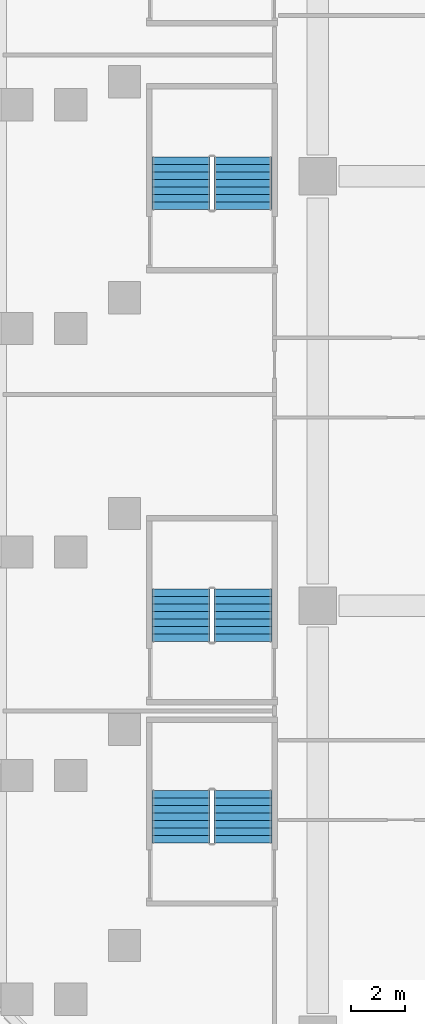
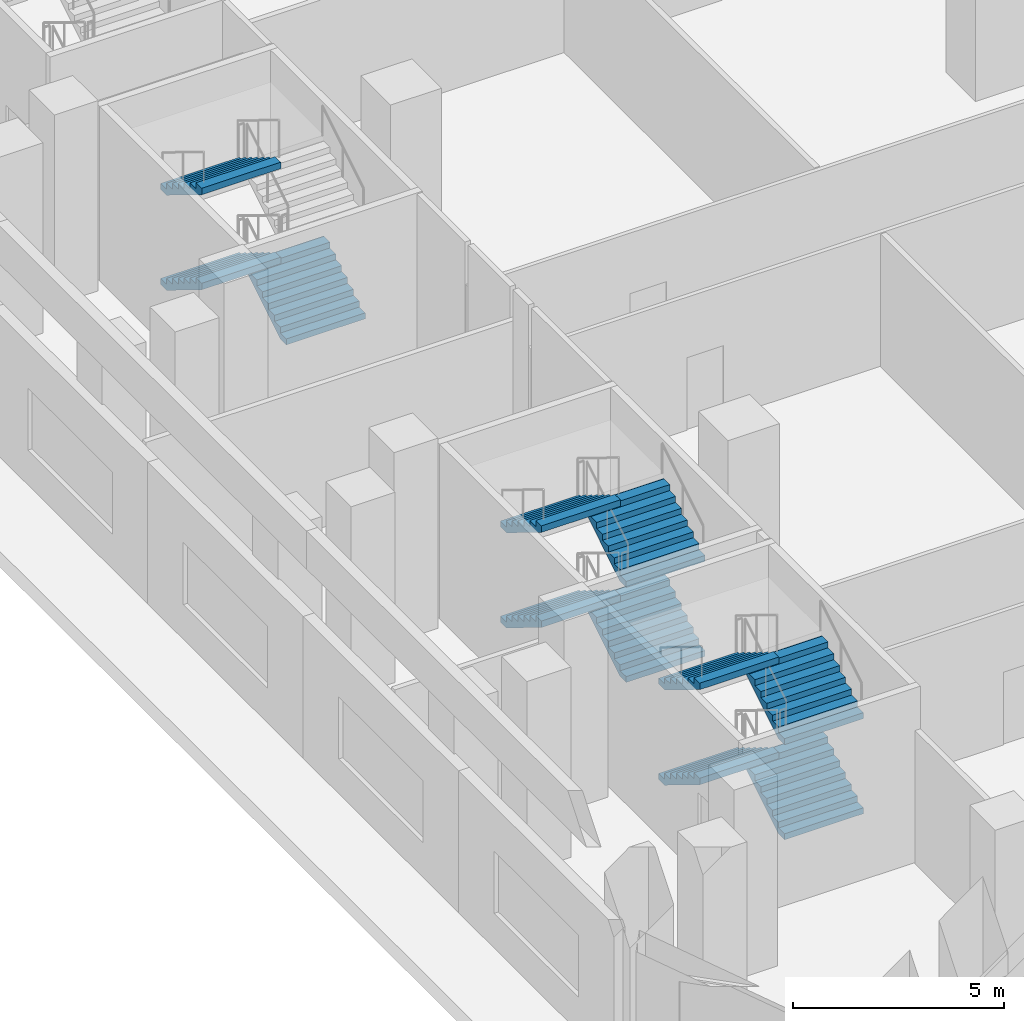
# One storey, part 13 of 22: 11 stair flights, 3 elements without a shape of their own.
"""IFC4 building model written with IfcOpenShell, lengths in metres."""

from ifc_helpers import new_model, si_unit, direction, frame, origin, place, context, subcontext, project, spatial, faceted_brep, source, transform, mapped, material, type_object, element, aggregate, save


model = new_model("IFC4")

# Units and contexts
model_context = context("Model", 3, precision=1e-05, world=origin(), true_north=direction((0.0, 1.0)))
body_context = subcontext(model_context, "Body", "Model", "MODEL_VIEW")
ifc_project = project(units=[si_unit("LENGTHUNIT", "METRE"), si_unit("AREAUNIT", "SQUARE_METRE"), si_unit("VOLUMEUNIT", "CUBIC_METRE"), si_unit("PLANEANGLEUNIT", "RADIAN"), si_unit("MASSUNIT", "GRAM", prefix="KILO")], contexts=[model_context])

# Site, building, storey
site_placement = place(None, origin())
site = spatial("IfcSite", under=ifc_project, at=site_placement, CompositionType="ELEMENT")
building_placement = place(site_placement, origin())
building = spatial("IfcBuilding", under=site, at=building_placement, Name="Calabash Gate Tower", CompositionType="ELEMENT")
storey_placement = place(building_placement, frame((0.0, 0.0, 29.0)))
storey = spatial("IfcBuildingStorey", under=building, at=storey_placement, Name="L03", CompositionType="ELEMENT", Elevation=29.0)

# Stair, stair flights
ifc_material_1 = material(Name="Concrete C40/50", Category="concrete")
stair_type = type_object("IfcStairType", Name="Public stair 32 risers of 171.9 mm", PredefinedType="HALF_TURN_STAIR", material=ifc_material_1)
stair_1_placement = place(storey_placement, origin())
stair_1 = element("IfcStair", 1, at=stair_1_placement, inside=storey, type_object=stair_type, Name="L03 Public Stair PS1", PredefinedType="HALF_TURN_STAIR")
ifc_material_2 = material(Name="Concrete C40/50", Category="concrete")
stair_flight_type = type_object("IfcStairFlightType", Name="Exit stair flight SFL", PredefinedType="STRAIGHT", material=ifc_material_2)
shared_shape = source(origin(), body_context, "Body", "Brep", [
    faceted_brep([(-0.0009765625, -1.080078125, 0.0), (0.285888671875, -1.080078125, 0.0), (1.9541015625, -1.080078125, 1.027099609375), (-0.0009765625, 1.080078125, 0.0), (1.9541015625, 1.080078125, 1.027099609375), (0.285888671875, 1.080078125, 0.0), (1.9541015625, -1.080078125, 1.215087890625), (1.952880859375, -1.080078125, 1.215087890625), (1.952880859375, 1.080078125, 1.215087890625), (1.9541015625, 1.080078125, 1.215087890625), (1.952880859375, -1.080078125, 1.203125), (1.952880859375, 1.080078125, 1.203125), (1.674072265625, -1.080078125, 1.203125), (1.674072265625, 1.080078125, 1.203125), (1.674072265625, -1.080078125, 1.03125), (1.674072265625, 1.080078125, 1.03125), (1.39501953125, -1.080078125, 1.03125), (1.39501953125, 1.080078125, 1.03125), (1.39501953125, -1.080078125, 0.859375), (1.39501953125, 1.080078125, 0.859375), (1.115966796875, -1.080078125, 0.859375), (1.115966796875, -1.080078125, 0.6875), (1.115966796875, 1.080078125, 0.6875), (1.115966796875, 1.080078125, 0.859375), (0.8369140625, -1.080078125, 0.6875), (0.8369140625, -1.080078125, 0.515625), (0.8369140625, 1.080078125, 0.515625), (0.8369140625, 1.080078125, 0.6875), (0.55810546875, -1.080078125, 0.515625), (0.55810546875, -1.080078125, 0.34375), (0.55810546875, 1.080078125, 0.34375), (0.55810546875, 1.080078125, 0.515625), (0.279052734375, -1.080078125, 0.34375), (0.279052734375, -1.080078125, 0.171875), (0.279052734375, 1.080078125, 0.171875), (0.279052734375, 1.080078125, 0.34375), (-0.0009765625, -1.080078125, 0.171875), (-0.0009765625, 1.080078125, 0.171875), (0.285888671875, -0.431884765625, 0.0), (1.9541015625, -0.431884765625, 1.027099609375), (0.285888671875, -0.370361328125, 0.0), (1.9541015625, -0.370361328125, 1.027099609375), (0.285888671875, -0.30859375, 0.0), (1.9541015625, -0.30859375, 1.027099609375), (0.285888671875, -0.246826171875, 0.0), (1.9541015625, -0.246826171875, 1.027099609375), (0.285888671875, -0.18505859375, 0.0), (1.9541015625, -0.18505859375, 1.027099609375), (0.285888671875, -0.12353515625, 0.0), (1.9541015625, -0.12353515625, 1.027099609375), (0.285888671875, -0.061767578125, 0.0), (1.9541015625, -0.061767578125, 1.027099609375), (0.285888671875, 0.0, 0.0), (1.9541015625, 0.0, 1.027099609375), (0.285888671875, 0.061767578125, 0.0), (1.9541015625, 0.061767578125, 1.027099609375), (0.285888671875, 0.12353515625, 0.0), (1.9541015625, 0.12353515625, 1.027099609375), (0.285888671875, 0.18505859375, 0.0), (1.9541015625, 0.18505859375, 1.027099609375), (0.285888671875, 0.246826171875, 0.0), (1.9541015625, 0.246826171875, 1.027099609375), (0.285888671875, 0.30859375, 0.0), (1.9541015625, 0.30859375, 1.027099609375), (0.285888671875, 0.370361328125, 0.0), (1.9541015625, 0.370361328125, 1.027099609375), (0.285888671875, 0.431884765625, 0.0), (1.9541015625, 0.431884765625, 1.027099609375), (1.9541015625, -0.431884765625, 1.215087890625), (1.9541015625, -0.370361328125, 1.215087890625), (1.9541015625, -0.30859375, 1.215087890625), (1.9541015625, -0.246826171875, 1.215087890625), (1.9541015625, -0.18505859375, 1.215087890625), (1.9541015625, -0.12353515625, 1.215087890625), (1.9541015625, -0.061767578125, 1.215087890625), (1.9541015625, 0.0, 1.215087890625), (1.9541015625, 0.061767578125, 1.215087890625), (1.9541015625, 0.12353515625, 1.215087890625), (1.9541015625, 0.18505859375, 1.215087890625), (1.9541015625, 0.246826171875, 1.215087890625), (1.9541015625, 0.30859375, 1.215087890625), (1.9541015625, 0.370361328125, 1.215087890625), (1.9541015625, 0.431884765625, 1.215087890625), (1.952880859375, -0.431884765625, 1.215087890625), (1.952880859375, -0.370361328125, 1.215087890625), (1.952880859375, -0.30859375, 1.215087890625), (1.952880859375, -0.246826171875, 1.215087890625), (1.952880859375, -0.18505859375, 1.215087890625), (1.952880859375, -0.12353515625, 1.215087890625), (1.952880859375, -0.061767578125, 1.215087890625), (1.952880859375, 0.0, 1.215087890625), (1.952880859375, 0.061767578125, 1.215087890625), (1.952880859375, 0.12353515625, 1.215087890625), (1.952880859375, 0.18505859375, 1.215087890625), (1.952880859375, 0.246826171875, 1.215087890625), (1.952880859375, 0.30859375, 1.215087890625), (1.952880859375, 0.370361328125, 1.215087890625), (1.952880859375, 0.431884765625, 1.215087890625), (1.952880859375, -0.431884765625, 1.203125), (1.952880859375, -0.370361328125, 1.203125), (1.952880859375, -0.30859375, 1.203125), (1.952880859375, -0.246826171875, 1.203125), (1.952880859375, -0.18505859375, 1.203125), (1.952880859375, -0.12353515625, 1.203125), (1.952880859375, -0.061767578125, 1.203125), (1.952880859375, 0.0, 1.203125), (1.952880859375, 0.061767578125, 1.203125), (1.952880859375, 0.12353515625, 1.203125), (1.952880859375, 0.18505859375, 1.203125), (1.952880859375, 0.246826171875, 1.203125), (1.952880859375, 0.30859375, 1.203125), (1.952880859375, 0.370361328125, 1.203125), (1.952880859375, 0.431884765625, 1.203125), (1.674072265625, -0.431884765625, 1.203125), (1.674072265625, -0.370361328125, 1.203125), (1.674072265625, -0.30859375, 1.203125), (1.674072265625, -0.246826171875, 1.203125), (1.674072265625, -0.18505859375, 1.203125), (1.674072265625, -0.12353515625, 1.203125), (1.674072265625, -0.061767578125, 1.203125), (1.674072265625, 0.0, 1.203125), (1.674072265625, 0.061767578125, 1.203125), (1.674072265625, 0.12353515625, 1.203125), (1.674072265625, 0.18505859375, 1.203125), (1.674072265625, 0.246826171875, 1.203125), (1.674072265625, 0.30859375, 1.203125), (1.674072265625, 0.370361328125, 1.203125), (1.674072265625, 0.431884765625, 1.203125), (1.674072265625, -0.431884765625, 1.03125), (1.674072265625, -0.370361328125, 1.03125), (1.674072265625, -0.30859375, 1.03125), (1.674072265625, -0.246826171875, 1.03125), (1.674072265625, -0.18505859375, 1.03125), (1.674072265625, -0.12353515625, 1.03125), (1.674072265625, -0.061767578125, 1.03125), (1.674072265625, 0.0, 1.03125), (1.674072265625, 0.061767578125, 1.03125), (1.674072265625, 0.12353515625, 1.03125), (1.674072265625, 0.18505859375, 1.03125), (1.674072265625, 0.246826171875, 1.03125), (1.674072265625, 0.30859375, 1.03125), (1.674072265625, 0.370361328125, 1.03125), (1.674072265625, 0.431884765625, 1.03125), (1.39501953125, -0.431884765625, 1.03125), (1.39501953125, -0.370361328125, 1.03125), (1.39501953125, -0.30859375, 1.03125), (1.39501953125, -0.246826171875, 1.03125), (1.39501953125, -0.18505859375, 1.03125), (1.39501953125, -0.12353515625, 1.03125), (1.39501953125, -0.061767578125, 1.03125), (1.39501953125, 0.0, 1.03125), (1.39501953125, 0.061767578125, 1.03125), (1.39501953125, 0.12353515625, 1.03125), (1.39501953125, 0.18505859375, 1.03125), (1.39501953125, 0.246826171875, 1.03125), (1.39501953125, 0.30859375, 1.03125), (1.39501953125, 0.370361328125, 1.03125), (1.39501953125, 0.431884765625, 1.03125), (1.39501953125, -0.431884765625, 0.859375), (1.39501953125, -0.370361328125, 0.859375), (1.39501953125, -0.30859375, 0.859375), (1.39501953125, -0.246826171875, 0.859375), (1.39501953125, -0.18505859375, 0.859375), (1.39501953125, -0.12353515625, 0.859375), (1.39501953125, -0.061767578125, 0.859375), (1.39501953125, 0.0, 0.859375), (1.39501953125, 0.061767578125, 0.859375), (1.39501953125, 0.12353515625, 0.859375), (1.39501953125, 0.18505859375, 0.859375), (1.39501953125, 0.246826171875, 0.859375), (1.39501953125, 0.30859375, 0.859375), (1.39501953125, 0.370361328125, 0.859375), (1.39501953125, 0.431884765625, 0.859375), (1.115966796875, -0.431884765625, 0.859375), (1.115966796875, -0.370361328125, 0.859375), (1.115966796875, -0.30859375, 0.859375), (1.115966796875, -0.246826171875, 0.859375), (1.115966796875, -0.18505859375, 0.859375), (1.115966796875, -0.12353515625, 0.859375), (1.115966796875, -0.061767578125, 0.859375), (1.115966796875, 0.0, 0.859375), (1.115966796875, 0.061767578125, 0.859375), (1.115966796875, 0.12353515625, 0.859375), (1.115966796875, 0.18505859375, 0.859375), (1.115966796875, 0.246826171875, 0.859375), (1.115966796875, 0.30859375, 0.859375), (1.115966796875, 0.370361328125, 0.859375), (1.115966796875, 0.431884765625, 0.859375), (1.115966796875, -0.431884765625, 0.6875), (1.115966796875, -0.370361328125, 0.6875), (1.115966796875, -0.30859375, 0.6875), (1.115966796875, -0.246826171875, 0.6875), (1.115966796875, -0.18505859375, 0.6875), (1.115966796875, -0.12353515625, 0.6875), (1.115966796875, -0.061767578125, 0.6875), (1.115966796875, 0.0, 0.6875), (1.115966796875, 0.061767578125, 0.6875), (1.115966796875, 0.12353515625, 0.6875), (1.115966796875, 0.18505859375, 0.6875), (1.115966796875, 0.246826171875, 0.6875), (1.115966796875, 0.30859375, 0.6875), (1.115966796875, 0.370361328125, 0.6875), (1.115966796875, 0.431884765625, 0.6875), (0.8369140625, -0.431884765625, 0.6875), (0.8369140625, -0.370361328125, 0.6875), (0.8369140625, -0.30859375, 0.6875), (0.8369140625, -0.246826171875, 0.6875), (0.8369140625, -0.18505859375, 0.6875), (0.8369140625, -0.12353515625, 0.6875), (0.8369140625, -0.061767578125, 0.6875), (0.8369140625, 0.0, 0.6875), (0.8369140625, 0.061767578125, 0.6875), (0.8369140625, 0.12353515625, 0.6875), (0.8369140625, 0.18505859375, 0.6875), (0.8369140625, 0.246826171875, 0.6875), (0.8369140625, 0.30859375, 0.6875), (0.8369140625, 0.370361328125, 0.6875), (0.8369140625, 0.431884765625, 0.6875), (0.8369140625, -0.431884765625, 0.515625), (0.8369140625, -0.370361328125, 0.515625), (0.8369140625, -0.30859375, 0.515625), (0.8369140625, -0.246826171875, 0.515625), (0.8369140625, -0.18505859375, 0.515625), (0.8369140625, -0.12353515625, 0.515625), (0.8369140625, -0.061767578125, 0.515625), (0.8369140625, 0.0, 0.515625), (0.8369140625, 0.061767578125, 0.515625), (0.8369140625, 0.12353515625, 0.515625), (0.8369140625, 0.18505859375, 0.515625), (0.8369140625, 0.246826171875, 0.515625), (0.8369140625, 0.30859375, 0.515625), (0.8369140625, 0.370361328125, 0.515625), (0.8369140625, 0.431884765625, 0.515625), (0.55810546875, -0.431884765625, 0.515625), (0.55810546875, -0.370361328125, 0.515625), (0.55810546875, -0.30859375, 0.515625), (0.55810546875, -0.246826171875, 0.515625), (0.55810546875, -0.18505859375, 0.515625), (0.55810546875, -0.12353515625, 0.515625), (0.55810546875, -0.061767578125, 0.515625), (0.55810546875, 0.0, 0.515625), (0.55810546875, 0.061767578125, 0.515625), (0.55810546875, 0.12353515625, 0.515625), (0.55810546875, 0.18505859375, 0.515625), (0.55810546875, 0.246826171875, 0.515625), (0.55810546875, 0.30859375, 0.515625), (0.55810546875, 0.370361328125, 0.515625), (0.55810546875, 0.431884765625, 0.515625), (0.55810546875, -0.431884765625, 0.34375), (0.55810546875, -0.370361328125, 0.34375), (0.55810546875, -0.30859375, 0.34375), (0.55810546875, -0.246826171875, 0.34375), (0.55810546875, -0.18505859375, 0.34375), (0.55810546875, -0.12353515625, 0.34375), (0.55810546875, -0.061767578125, 0.34375), (0.55810546875, 0.0, 0.34375), (0.55810546875, 0.061767578125, 0.34375), (0.55810546875, 0.12353515625, 0.34375), (0.55810546875, 0.18505859375, 0.34375), (0.55810546875, 0.246826171875, 0.34375), (0.55810546875, 0.30859375, 0.34375), (0.55810546875, 0.370361328125, 0.34375), (0.55810546875, 0.431884765625, 0.34375), (0.279052734375, -0.431884765625, 0.34375), (0.279052734375, -0.370361328125, 0.34375), (0.279052734375, -0.30859375, 0.34375), (0.279052734375, -0.246826171875, 0.34375), (0.279052734375, -0.18505859375, 0.34375), (0.279052734375, -0.12353515625, 0.34375), (0.279052734375, -0.061767578125, 0.34375), (0.279052734375, 0.0, 0.34375), (0.279052734375, 0.061767578125, 0.34375), (0.279052734375, 0.12353515625, 0.34375), (0.279052734375, 0.18505859375, 0.34375), (0.279052734375, 0.246826171875, 0.34375), (0.279052734375, 0.30859375, 0.34375), (0.279052734375, 0.370361328125, 0.34375), (0.279052734375, 0.431884765625, 0.34375), (0.279052734375, -0.431884765625, 0.171875), (0.279052734375, -0.370361328125, 0.171875), (0.279052734375, -0.30859375, 0.171875), (0.279052734375, -0.246826171875, 0.171875), (0.279052734375, -0.18505859375, 0.171875), (0.279052734375, -0.12353515625, 0.171875), (0.279052734375, -0.061767578125, 0.171875), (0.279052734375, 0.0, 0.171875), (0.279052734375, 0.061767578125, 0.171875), (0.279052734375, 0.12353515625, 0.171875), (0.279052734375, 0.18505859375, 0.171875), (0.279052734375, 0.246826171875, 0.171875), (0.279052734375, 0.30859375, 0.171875), (0.279052734375, 0.370361328125, 0.171875), (0.279052734375, 0.431884765625, 0.171875), (-0.0009765625, -0.431884765625, 0.171875), (-0.0009765625, -0.370361328125, 0.171875), (-0.0009765625, -0.30859375, 0.171875), (-0.0009765625, -0.246826171875, 0.171875), (-0.0009765625, -0.18505859375, 0.171875), (-0.0009765625, -0.12353515625, 0.171875), (-0.0009765625, -0.061767578125, 0.171875), (-0.0009765625, 0.0, 0.171875), (-0.0009765625, 0.061767578125, 0.171875), (-0.0009765625, 0.12353515625, 0.171875), (-0.0009765625, 0.18505859375, 0.171875), (-0.0009765625, 0.246826171875, 0.171875), (-0.0009765625, 0.30859375, 0.171875), (-0.0009765625, 0.370361328125, 0.171875), (-0.0009765625, 0.431884765625, 0.171875), (-0.0009765625, -0.431884765625, 0.0), (-0.0009765625, -0.370361328125, 0.0), (-0.0009765625, -0.30859375, 0.0), (-0.0009765625, -0.246826171875, 0.0), (-0.0009765625, -0.18505859375, 0.0), (-0.0009765625, -0.12353515625, 0.0), (-0.0009765625, -0.061767578125, 0.0), (-0.0009765625, 0.0, 0.0), (-0.0009765625, 0.061767578125, 0.0), (-0.0009765625, 0.12353515625, 0.0), (-0.0009765625, 0.18505859375, 0.0), (-0.0009765625, 0.246826171875, 0.0), (-0.0009765625, 0.30859375, 0.0), (-0.0009765625, 0.370361328125, 0.0), (-0.0009765625, 0.431884765625, 0.0)], [[[0, 1, 2]], [[3, 4, 5]], [[2, 6, 7]], [[4, 8, 9]], [[2, 7, 10]], [[4, 11, 8]], [[2, 10, 12]], [[4, 13, 11]], [[2, 12, 14]], [[4, 15, 13]], [[2, 14, 16]], [[4, 17, 15]], [[2, 16, 18]], [[4, 19, 17]], [[18, 20, 21]], [[19, 22, 23]], [[2, 18, 21]], [[4, 22, 19]], [[21, 24, 25]], [[22, 26, 27]], [[2, 21, 25]], [[4, 26, 22]], [[25, 28, 29]], [[26, 30, 31]], [[2, 25, 29]], [[4, 30, 26]], [[29, 32, 33]], [[30, 34, 35]], [[2, 29, 33]], [[4, 34, 30]], [[0, 2, 33]], [[3, 34, 4]], [[33, 36, 0]], [[34, 3, 37]], [[1, 38, 2]], [[38, 39, 2]], [[38, 40, 39]], [[40, 41, 39]], [[40, 42, 41]], [[42, 43, 41]], [[42, 44, 43]], [[44, 45, 43]], [[44, 46, 45]], [[46, 47, 45]], [[46, 48, 47]], [[48, 49, 47]], [[48, 50, 49]], [[50, 51, 49]], [[50, 52, 51]], [[52, 53, 51]], [[52, 54, 55]], [[52, 55, 53]], [[54, 56, 57]], [[54, 57, 55]], [[56, 58, 59]], [[56, 59, 57]], [[58, 60, 61]], [[58, 61, 59]], [[60, 62, 63]], [[60, 63, 61]], [[62, 64, 65]], [[62, 65, 63]], [[64, 66, 67]], [[64, 67, 65]], [[66, 5, 4]], [[66, 4, 67]], [[2, 39, 6]], [[39, 68, 6]], [[39, 41, 68]], [[41, 69, 68]], [[41, 43, 69]], [[43, 70, 69]], [[43, 45, 70]], [[45, 71, 70]], [[45, 47, 71]], [[47, 72, 71]], [[47, 49, 72]], [[49, 73, 72]], [[49, 51, 73]], [[51, 74, 73]], [[51, 53, 74]], [[53, 75, 74]], [[53, 55, 76]], [[53, 76, 75]], [[55, 57, 77]], [[55, 77, 76]], [[57, 59, 78]], [[57, 78, 77]], [[59, 61, 79]], [[59, 79, 78]], [[61, 63, 80]], [[61, 80, 79]], [[63, 65, 81]], [[63, 81, 80]], [[65, 67, 82]], [[65, 82, 81]], [[67, 4, 9]], [[67, 9, 82]], [[6, 68, 7]], [[68, 83, 7]], [[68, 69, 83]], [[69, 84, 83]], [[69, 70, 84]], [[70, 85, 84]], [[70, 71, 85]], [[71, 86, 85]], [[71, 72, 86]], [[72, 87, 86]], [[72, 73, 87]], [[73, 88, 87]], [[73, 74, 88]], [[74, 89, 88]], [[74, 75, 89]], [[75, 90, 89]], [[75, 76, 91]], [[75, 91, 90]], [[76, 77, 92]], [[76, 92, 91]], [[77, 78, 93]], [[77, 93, 92]], [[78, 79, 94]], [[78, 94, 93]], [[79, 80, 95]], [[79, 95, 94]], [[80, 81, 96]], [[80, 96, 95]], [[81, 82, 97]], [[81, 97, 96]], [[82, 9, 8]], [[82, 8, 97]], [[7, 83, 10]], [[83, 98, 10]], [[83, 84, 98]], [[84, 99, 98]], [[84, 85, 99]], [[85, 100, 99]], [[85, 86, 100]], [[86, 101, 100]], [[86, 87, 101]], [[87, 102, 101]], [[87, 88, 102]], [[88, 103, 102]], [[88, 89, 103]], [[89, 104, 103]], [[89, 90, 104]], [[90, 105, 104]], [[90, 91, 106]], [[90, 106, 105]], [[91, 92, 107]], [[91, 107, 106]], [[92, 93, 108]], [[92, 108, 107]], [[93, 94, 109]], [[93, 109, 108]], [[94, 95, 110]], [[94, 110, 109]], [[95, 96, 111]], [[95, 111, 110]], [[96, 97, 112]], [[96, 112, 111]], [[97, 8, 11]], [[97, 11, 112]], [[10, 98, 12]], [[98, 113, 12]], [[98, 99, 113]], [[99, 114, 113]], [[99, 100, 114]], [[100, 115, 114]], [[100, 101, 115]], [[101, 116, 115]], [[101, 102, 116]], [[102, 117, 116]], [[102, 103, 117]], [[103, 118, 117]], [[103, 104, 118]], [[104, 119, 118]], [[104, 105, 119]], [[105, 120, 119]], [[105, 106, 121]], [[105, 121, 120]], [[106, 107, 122]], [[106, 122, 121]], [[107, 108, 123]], [[107, 123, 122]], [[108, 109, 124]], [[108, 124, 123]], [[109, 110, 125]], [[109, 125, 124]], [[110, 111, 126]], [[110, 126, 125]], [[111, 112, 127]], [[111, 127, 126]], [[112, 11, 13]], [[112, 13, 127]], [[12, 113, 14]], [[113, 128, 14]], [[113, 114, 128]], [[114, 129, 128]], [[114, 115, 129]], [[115, 130, 129]], [[115, 116, 130]], [[116, 131, 130]], [[116, 117, 131]], [[117, 132, 131]], [[117, 118, 132]], [[118, 133, 132]], [[118, 119, 133]], [[119, 134, 133]], [[119, 120, 134]], [[120, 135, 134]], [[120, 121, 136]], [[120, 136, 135]], [[121, 122, 137]], [[121, 137, 136]], [[122, 123, 138]], [[122, 138, 137]], [[123, 124, 139]], [[123, 139, 138]], [[124, 125, 140]], [[124, 140, 139]], [[125, 126, 141]], [[125, 141, 140]], [[126, 127, 142]], [[126, 142, 141]], [[127, 13, 15]], [[127, 15, 142]], [[14, 128, 16]], [[128, 143, 16]], [[128, 129, 143]], [[129, 144, 143]], [[129, 130, 144]], [[130, 145, 144]], [[130, 131, 145]], [[131, 146, 145]], [[131, 132, 146]], [[132, 147, 146]], [[132, 133, 147]], [[133, 148, 147]], [[133, 134, 148]], [[134, 149, 148]], [[134, 135, 149]], [[135, 150, 149]], [[135, 136, 151]], [[135, 151, 150]], [[136, 137, 152]], [[136, 152, 151]], [[137, 138, 153]], [[137, 153, 152]], [[138, 139, 154]], [[138, 154, 153]], [[139, 140, 155]], [[139, 155, 154]], [[140, 141, 156]], [[140, 156, 155]], [[141, 142, 157]], [[141, 157, 156]], [[142, 15, 17]], [[142, 17, 157]], [[16, 143, 18]], [[143, 158, 18]], [[143, 144, 158]], [[144, 159, 158]], [[144, 145, 159]], [[145, 160, 159]], [[145, 146, 160]], [[146, 161, 160]], [[146, 147, 161]], [[147, 162, 161]], [[147, 148, 162]], [[148, 163, 162]], [[148, 149, 163]], [[149, 164, 163]], [[149, 150, 164]], [[150, 165, 164]], [[150, 151, 166]], [[150, 166, 165]], [[151, 152, 167]], [[151, 167, 166]], [[152, 153, 168]], [[152, 168, 167]], [[153, 154, 169]], [[153, 169, 168]], [[154, 155, 170]], [[154, 170, 169]], [[155, 156, 171]], [[155, 171, 170]], [[156, 157, 172]], [[156, 172, 171]], [[157, 17, 19]], [[157, 19, 172]], [[18, 158, 20]], [[158, 173, 20]], [[158, 159, 173]], [[159, 174, 173]], [[159, 160, 174]], [[160, 175, 174]], [[160, 161, 175]], [[161, 176, 175]], [[161, 162, 176]], [[162, 177, 176]], [[162, 163, 177]], [[163, 178, 177]], [[163, 164, 178]], [[164, 179, 178]], [[164, 165, 179]], [[165, 180, 179]], [[165, 166, 181]], [[165, 181, 180]], [[166, 167, 182]], [[166, 182, 181]], [[167, 168, 183]], [[167, 183, 182]], [[168, 169, 184]], [[168, 184, 183]], [[169, 170, 185]], [[169, 185, 184]], [[170, 171, 186]], [[170, 186, 185]], [[171, 172, 187]], [[171, 187, 186]], [[172, 19, 23]], [[172, 23, 187]], [[20, 173, 21]], [[173, 188, 21]], [[173, 174, 188]], [[174, 189, 188]], [[174, 175, 189]], [[175, 190, 189]], [[175, 176, 190]], [[176, 191, 190]], [[176, 177, 191]], [[177, 192, 191]], [[177, 178, 192]], [[178, 193, 192]], [[178, 179, 193]], [[179, 194, 193]], [[179, 180, 194]], [[180, 195, 194]], [[180, 181, 196]], [[180, 196, 195]], [[181, 182, 197]], [[181, 197, 196]], [[182, 183, 198]], [[182, 198, 197]], [[183, 184, 199]], [[183, 199, 198]], [[184, 185, 200]], [[184, 200, 199]], [[185, 186, 201]], [[185, 201, 200]], [[186, 187, 202]], [[186, 202, 201]], [[187, 23, 22]], [[187, 22, 202]], [[21, 188, 24]], [[188, 203, 24]], [[188, 189, 203]], [[189, 204, 203]], [[189, 190, 204]], [[190, 205, 204]], [[190, 191, 205]], [[191, 206, 205]], [[191, 192, 206]], [[192, 207, 206]], [[192, 193, 207]], [[193, 208, 207]], [[193, 194, 208]], [[194, 209, 208]], [[194, 195, 209]], [[195, 210, 209]], [[195, 196, 211]], [[195, 211, 210]], [[196, 197, 212]], [[196, 212, 211]], [[197, 198, 213]], [[197, 213, 212]], [[198, 199, 214]], [[198, 214, 213]], [[199, 200, 215]], [[199, 215, 214]], [[200, 201, 216]], [[200, 216, 215]], [[201, 202, 217]], [[201, 217, 216]], [[202, 22, 27]], [[202, 27, 217]], [[24, 203, 25]], [[203, 218, 25]], [[203, 204, 218]], [[204, 219, 218]], [[204, 205, 219]], [[205, 220, 219]], [[205, 206, 220]], [[206, 221, 220]], [[206, 207, 221]], [[207, 222, 221]], [[207, 208, 222]], [[208, 223, 222]], [[208, 209, 223]], [[209, 224, 223]], [[209, 210, 224]], [[210, 225, 224]], [[210, 211, 226]], [[210, 226, 225]], [[211, 212, 227]], [[211, 227, 226]], [[212, 213, 228]], [[212, 228, 227]], [[213, 214, 229]], [[213, 229, 228]], [[214, 215, 230]], [[214, 230, 229]], [[215, 216, 231]], [[215, 231, 230]], [[216, 217, 232]], [[216, 232, 231]], [[217, 27, 26]], [[217, 26, 232]], [[25, 218, 28]], [[218, 233, 28]], [[218, 219, 233]], [[219, 234, 233]], [[219, 220, 234]], [[220, 235, 234]], [[220, 221, 235]], [[221, 236, 235]], [[221, 222, 236]], [[222, 237, 236]], [[222, 223, 237]], [[223, 238, 237]], [[223, 224, 238]], [[224, 239, 238]], [[224, 225, 239]], [[225, 240, 239]], [[225, 226, 241]], [[225, 241, 240]], [[226, 227, 242]], [[226, 242, 241]], [[227, 228, 243]], [[227, 243, 242]], [[228, 229, 244]], [[228, 244, 243]], [[229, 230, 245]], [[229, 245, 244]], [[230, 231, 246]], [[230, 246, 245]], [[231, 232, 247]], [[231, 247, 246]], [[232, 26, 31]], [[232, 31, 247]], [[28, 233, 29]], [[233, 248, 29]], [[233, 234, 248]], [[234, 249, 248]], [[234, 235, 249]], [[235, 250, 249]], [[235, 236, 250]], [[236, 251, 250]], [[236, 237, 251]], [[237, 252, 251]], [[237, 238, 252]], [[238, 253, 252]], [[238, 239, 253]], [[239, 254, 253]], [[239, 240, 254]], [[240, 255, 254]], [[240, 241, 256]], [[240, 256, 255]], [[241, 242, 257]], [[241, 257, 256]], [[242, 243, 258]], [[242, 258, 257]], [[243, 244, 259]], [[243, 259, 258]], [[244, 245, 260]], [[244, 260, 259]], [[245, 246, 261]], [[245, 261, 260]], [[246, 247, 262]], [[246, 262, 261]], [[247, 31, 30]], [[247, 30, 262]], [[29, 248, 32]], [[248, 263, 32]], [[248, 249, 263]], [[249, 264, 263]], [[249, 250, 264]], [[250, 265, 264]], [[250, 251, 265]], [[251, 266, 265]], [[251, 252, 266]], [[252, 267, 266]], [[252, 253, 267]], [[253, 268, 267]], [[253, 254, 268]], [[254, 269, 268]], [[254, 255, 269]], [[255, 270, 269]], [[255, 256, 271]], [[255, 271, 270]], [[256, 257, 272]], [[256, 272, 271]], [[257, 258, 273]], [[257, 273, 272]], [[258, 259, 274]], [[258, 274, 273]], [[259, 260, 275]], [[259, 275, 274]], [[260, 261, 276]], [[260, 276, 275]], [[261, 262, 277]], [[261, 277, 276]], [[262, 30, 35]], [[262, 35, 277]], [[32, 263, 33]], [[263, 278, 33]], [[263, 264, 278]], [[264, 279, 278]], [[264, 265, 279]], [[265, 280, 279]], [[265, 266, 280]], [[266, 281, 280]], [[266, 267, 281]], [[267, 282, 281]], [[267, 268, 282]], [[268, 283, 282]], [[268, 269, 283]], [[269, 284, 283]], [[269, 270, 284]], [[270, 285, 284]], [[270, 271, 286]], [[270, 286, 285]], [[271, 272, 287]], [[271, 287, 286]], [[272, 273, 288]], [[272, 288, 287]], [[273, 274, 289]], [[273, 289, 288]], [[274, 275, 290]], [[274, 290, 289]], [[275, 276, 291]], [[275, 291, 290]], [[276, 277, 292]], [[276, 292, 291]], [[277, 35, 34]], [[277, 34, 292]], [[33, 278, 36]], [[278, 293, 36]], [[278, 279, 293]], [[279, 294, 293]], [[279, 280, 294]], [[280, 295, 294]], [[280, 281, 295]], [[281, 296, 295]], [[281, 282, 296]], [[282, 297, 296]], [[282, 283, 297]], [[283, 298, 297]], [[283, 284, 298]], [[284, 299, 298]], [[284, 285, 299]], [[285, 300, 299]], [[285, 286, 301]], [[285, 301, 300]], [[286, 287, 302]], [[286, 302, 301]], [[287, 288, 303]], [[287, 303, 302]], [[288, 289, 304]], [[288, 304, 303]], [[289, 290, 305]], [[289, 305, 304]], [[290, 291, 306]], [[290, 306, 305]], [[291, 292, 307]], [[291, 307, 306]], [[292, 34, 37]], [[292, 37, 307]], [[36, 293, 0]], [[293, 308, 0]], [[293, 294, 308]], [[294, 309, 308]], [[294, 295, 309]], [[295, 310, 309]], [[295, 296, 310]], [[296, 311, 310]], [[296, 297, 311]], [[297, 312, 311]], [[297, 298, 312]], [[298, 313, 312]], [[298, 299, 313]], [[299, 314, 313]], [[299, 300, 314]], [[300, 315, 314]], [[300, 301, 316]], [[300, 316, 315]], [[301, 302, 317]], [[301, 317, 316]], [[302, 303, 318]], [[302, 318, 317]], [[303, 304, 319]], [[303, 319, 318]], [[304, 305, 320]], [[304, 320, 319]], [[305, 306, 321]], [[305, 321, 320]], [[306, 307, 322]], [[306, 322, 321]], [[307, 37, 3]], [[307, 3, 322]], [[0, 308, 1]], [[308, 38, 1]], [[308, 309, 38]], [[309, 40, 38]], [[309, 310, 40]], [[310, 42, 40]], [[310, 311, 42]], [[311, 44, 42]], [[311, 312, 44]], [[312, 46, 44]], [[312, 313, 46]], [[313, 48, 46]], [[313, 314, 48]], [[314, 50, 48]], [[314, 315, 50]], [[315, 52, 50]], [[315, 316, 54]], [[315, 54, 52]], [[316, 317, 56]], [[316, 56, 54]], [[317, 318, 58]], [[317, 58, 56]], [[318, 319, 60]], [[318, 60, 58]], [[319, 320, 62]], [[319, 62, 60]], [[320, 321, 64]], [[320, 64, 62]], [[321, 322, 66]], [[321, 66, 64]], [[322, 3, 5]], [[322, 5, 66]]]),
])
stair_flight_1_placement = place(storey_placement, frame((-34.780029296875, -32.840087890625, 0.0), z_axis=(0.0, 0.0, 1.0), x_axis=(0.0, 1.0, 0.0)))
stair_flight_1 = element("IfcStairFlight", 2, at=stair_flight_1_placement, type_object=stair_flight_type, Name="PS1 flight 1", NumberOfRisers=8, NumberOfTreads=7, PredefinedType="STRAIGHT", RiserHeight=0.171875, TreadLength=0.279, context=body_context, shape_type="MappedRepresentation", body=[
    mapped(shared_shape, transform((0.0, 0.0, 0.0), scale=1.0)),
])
stair_flight_2_placement = place(storey_placement, frame((-37.090087890625, -30.886962890625, 1.375), z_axis=(0.0, 0.0, 1.0), x_axis=(0.0, -1.0, 0.0)))
stair_flight_2 = element("IfcStairFlight", 3, at=stair_flight_2_placement, type_object=stair_flight_type, Name="PS1 flight 2", NumberOfRisers=8, NumberOfTreads=7, PredefinedType="STRAIGHT", RiserHeight=0.171875, TreadLength=0.279, context=body_context, shape_type="MappedRepresentation", body=[
    mapped(shared_shape, transform((0.0, 0.0, 0.0), scale=1.0)),
])
stair_flight_3_placement = place(storey_placement, frame((-34.780029296875, -32.840087890625, 2.75), z_axis=(0.0, 0.0, 1.0), x_axis=(0.0, 1.0, 0.0)))
stair_flight_3 = element("IfcStairFlight", 4, at=stair_flight_3_placement, type_object=stair_flight_type, Name="PS1 flight 3", NumberOfRisers=8, NumberOfTreads=7, PredefinedType="STRAIGHT", RiserHeight=0.171875, TreadLength=0.279, context=body_context, shape_type="MappedRepresentation", body=[
    mapped(shared_shape, transform((0.0, 0.0, 0.0), scale=1.0)),
])
stair_flight_4_placement = place(storey_placement, frame((-37.090087890625, -30.886962890625, 4.125), z_axis=(0.0, 0.0, 1.0), x_axis=(0.0, -1.0, 0.0)))
stair_flight_4 = element("IfcStairFlight", 5, at=stair_flight_4_placement, type_object=stair_flight_type, Name="PS1 flight 4", NumberOfRisers=8, NumberOfTreads=7, PredefinedType="STRAIGHT", RiserHeight=0.171875, TreadLength=0.279, context=body_context, shape_type="MappedRepresentation", body=[
    mapped(shared_shape, transform((0.0, 0.0, 0.0), scale=1.0)),
])
aggregate(stair_1, [stair_flight_1, stair_flight_2, stair_flight_3, stair_flight_4])

stair_2_placement = place(storey_placement, origin())
stair_2 = element("IfcStair", 6, at=stair_2_placement, inside=storey, type_object=stair_type, Name="L03 Public Stair PS2", PredefinedType="HALF_TURN_STAIR")
stair_flight_5_placement = place(storey_placement, frame((-34.780029296875, -25.340087890625, 0.0), z_axis=(0.0, 0.0, 1.0), x_axis=(0.0, 1.0, 0.0)))
stair_flight_5 = element("IfcStairFlight", 7, at=stair_flight_5_placement, type_object=stair_flight_type, Name="PS2 flight 1", NumberOfRisers=8, NumberOfTreads=7, PredefinedType="STRAIGHT", RiserHeight=0.171875, TreadLength=0.279, context=body_context, shape_type="MappedRepresentation", body=[
    mapped(shared_shape, transform((0.0, 0.0, 0.0), scale=1.0)),
])
stair_flight_6_placement = place(storey_placement, frame((-37.090087890625, -23.386962890625, 1.375), z_axis=(0.0, 0.0, 1.0), x_axis=(0.0, -1.0, 0.0)))
stair_flight_6 = element("IfcStairFlight", 8, at=stair_flight_6_placement, type_object=stair_flight_type, Name="PS2 flight 2", NumberOfRisers=8, NumberOfTreads=7, PredefinedType="STRAIGHT", RiserHeight=0.171875, TreadLength=0.279, context=body_context, shape_type="MappedRepresentation", body=[
    mapped(shared_shape, transform((0.0, 0.0, 0.0), scale=1.0)),
])
stair_flight_7_placement = place(storey_placement, frame((-34.780029296875, -25.340087890625, 2.75), z_axis=(0.0, 0.0, 1.0), x_axis=(0.0, 1.0, 0.0)))
stair_flight_7 = element("IfcStairFlight", 9, at=stair_flight_7_placement, type_object=stair_flight_type, Name="PS2 flight 3", NumberOfRisers=8, NumberOfTreads=7, PredefinedType="STRAIGHT", RiserHeight=0.171875, TreadLength=0.279, context=body_context, shape_type="MappedRepresentation", body=[
    mapped(shared_shape, transform((0.0, 0.0, 0.0), scale=1.0)),
])
stair_flight_8_placement = place(storey_placement, frame((-37.090087890625, -23.386962890625, 4.125), z_axis=(0.0, 0.0, 1.0), x_axis=(0.0, -1.0, 0.0)))
stair_flight_8 = element("IfcStairFlight", 10, at=stair_flight_8_placement, type_object=stair_flight_type, Name="PS2 flight 4", NumberOfRisers=8, NumberOfTreads=7, PredefinedType="STRAIGHT", RiserHeight=0.171875, TreadLength=0.279, context=body_context, shape_type="MappedRepresentation", body=[
    mapped(shared_shape, transform((0.0, 0.0, 0.0), scale=1.0)),
])
aggregate(stair_2, [stair_flight_5, stair_flight_6, stair_flight_7, stair_flight_8])

stair_3_placement = place(storey_placement, origin())
stair_3 = element("IfcStair", 11, at=stair_3_placement, inside=storey, type_object=stair_type, Name="L03 Public Stair PS3", PredefinedType="HALF_TURN_STAIR")
stair_flight_9_placement = place(storey_placement, frame((-34.780029296875, -9.239990234375, 0.0), z_axis=(0.0, 0.0, 1.0), x_axis=(0.0, 1.0, 0.0)))
stair_flight_9 = element("IfcStairFlight", 12, at=stair_flight_9_placement, type_object=stair_flight_type, Name="PS3 flight 1", NumberOfRisers=8, NumberOfTreads=7, PredefinedType="STRAIGHT", RiserHeight=0.171875, TreadLength=0.279, context=body_context, shape_type="MappedRepresentation", body=[
    mapped(shared_shape, transform((0.0, 0.0, 0.0), scale=1.0)),
])
stair_flight_10_placement = place(storey_placement, frame((-37.090087890625, -7.287109375, 1.375), z_axis=(0.0, 0.0, 1.0), x_axis=(0.0, -1.0, 0.0)))
stair_flight_10 = element("IfcStairFlight", 13, at=stair_flight_10_placement, type_object=stair_flight_type, Name="PS3 flight 2", NumberOfRisers=8, NumberOfTreads=7, PredefinedType="STRAIGHT", RiserHeight=0.171875, TreadLength=0.279, context=body_context, shape_type="MappedRepresentation", body=[
    mapped(shared_shape, transform((0.0, 0.0, 0.0), scale=1.0)),
])
stair_flight_11_placement = place(storey_placement, frame((-37.090087890625, -7.287109375, 4.125), z_axis=(0.0, 0.0, 1.0), x_axis=(0.0, -1.0, 0.0)))
stair_flight_11 = element("IfcStairFlight", 14, at=stair_flight_11_placement, type_object=stair_flight_type, Name="PS3 flight 4", NumberOfRisers=8, NumberOfTreads=7, PredefinedType="STRAIGHT", RiserHeight=0.171875, TreadLength=0.279, context=body_context, shape_type="MappedRepresentation", body=[
    mapped(shared_shape, transform((0.0, 0.0, 0.0), scale=1.0)),
])
aggregate(stair_3, [stair_flight_9, stair_flight_10, stair_flight_11])

save(model, "model.ifc")
